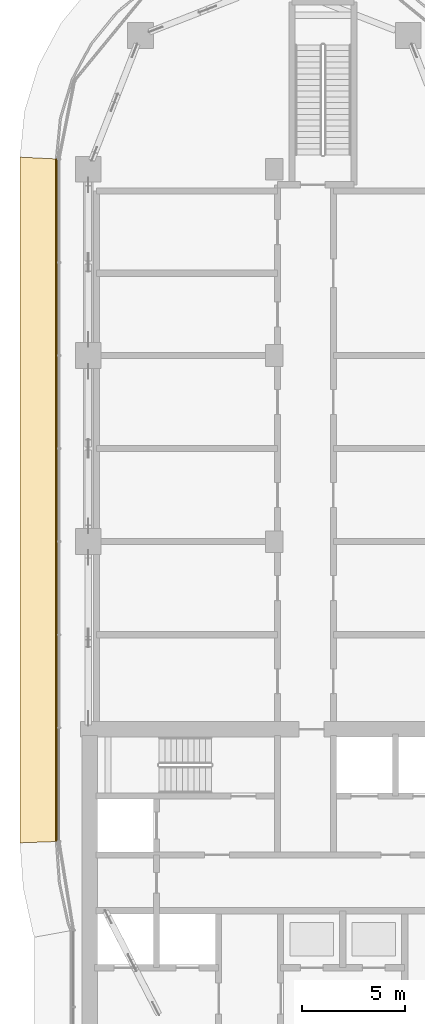
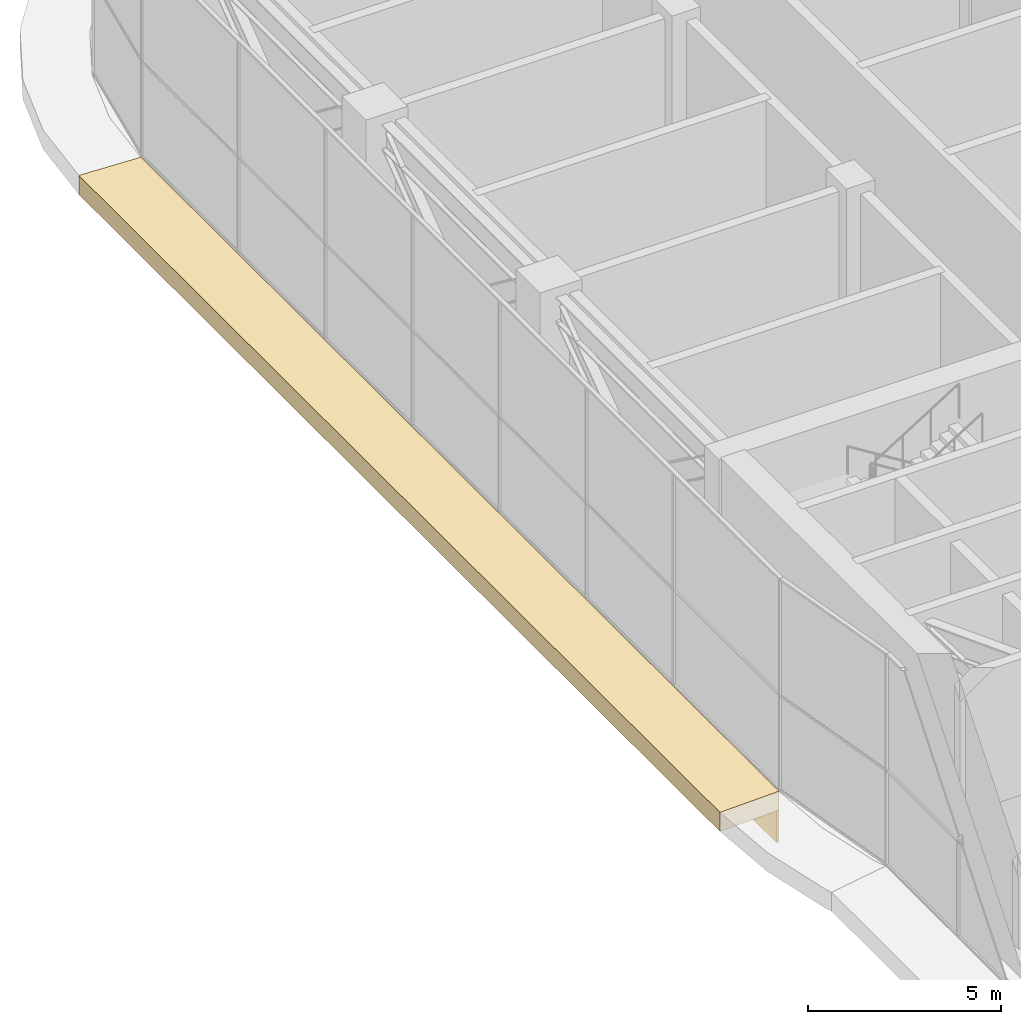
# One storey, part 28 of 35: 2 coverings.
"""IFC4 building model written with IfcOpenShell, lengths in metres."""

from ifc_helpers import new_model, si_unit, direction, frame, origin, place, context, subcontext, project, spatial, polyline, outline, extrude, material, layer, layer_set, type_object, element, save


model = new_model("IFC4")

# Units and contexts
model_context = context("Model", 3, precision=1e-05, world=origin(), true_north=direction((0.0, 1.0)))
body_context = subcontext(model_context, "Body", "Model", "MODEL_VIEW")
ifc_project = project(units=[si_unit("LENGTHUNIT", "METRE"), si_unit("AREAUNIT", "SQUARE_METRE"), si_unit("VOLUMEUNIT", "CUBIC_METRE"), si_unit("PLANEANGLEUNIT", "RADIAN"), si_unit("MASSUNIT", "GRAM", prefix="KILO")], contexts=[model_context])

# Site, building, storey
site_placement = place(None, origin())
site = spatial("IfcSite", under=ifc_project, at=site_placement, CompositionType="ELEMENT")
building_placement = place(site_placement, origin())
building = spatial("IfcBuilding", under=site, at=building_placement, Name="Ogive Portal Towers", CompositionType="ELEMENT")
storey_placement = place(building_placement, frame((0.0, 0.0, 135.199951171875)))
storey = spatial("IfcBuildingStorey", under=building, at=storey_placement, Name="L33", CompositionType="ELEMENT", Elevation=135.199951171875)

# Coverings
ifc_material = material(Name="Limestone cladding on lightweight block wall", Category="masonry")
ifc_layer_1 = layer(ifc_material, 0.080078125)
ifc_layer_set_1 = layer_set([ifc_layer_1], Name="STONE SPANDREL 80")
covering_type_1 = type_object("IfcCoveringType", Name="STONE SPANDREL 80", PredefinedType="CLADDING", material=ifc_layer_set_1)
covering_1_placement = place(storey_placement, frame((0.0, 0.0, -1.599853515625)))
element("IfcCovering", 1, at=covering_1_placement, inside=storey, type_object=covering_type_1, Name="Stone spandrel A1-F13", PredefinedType="CLADDING", context=body_context, shape_type="SweptSolid", body=[
    extrude(outline(polyline([(30.0, 67.0), (30.0, 34.0), (29.919921875, 33.9970703125), (29.919921875, 67.00390625), (30.0, 67.0)])), origin(), (0.0, 0.0, 1.0), 1.0),
])
ifc_layer_2 = layer(ifc_material, 0.60009765625)
ifc_layer_set_2 = layer_set([ifc_layer_2], Name="SUNSHADE LIP 600")
covering_type_2 = type_object("IfcCoveringType", Name="SUNSHADE LIP 600", PredefinedType="CLADDING", material=ifc_layer_set_2)
covering_2_placement = place(storey_placement, frame((0.0, 0.0, -0.599853515625)))
element("IfcCovering", 2, at=covering_2_placement, inside=storey, type_object=covering_type_2, Name="Sunshade lip A1-F13", PredefinedType="CLADDING", context=body_context, shape_type="SweptSolid", body=[
    extrude(outline(polyline([(30.0, 67.0), (30.0, 34.0), (28.199951171875, 33.935791015625), (28.199951171875, 67.08837890625), (30.0, 67.0)])), origin(), (0.0, 0.0, 1.0), 0.599853515625),
])

save(model, "model.ifc")
